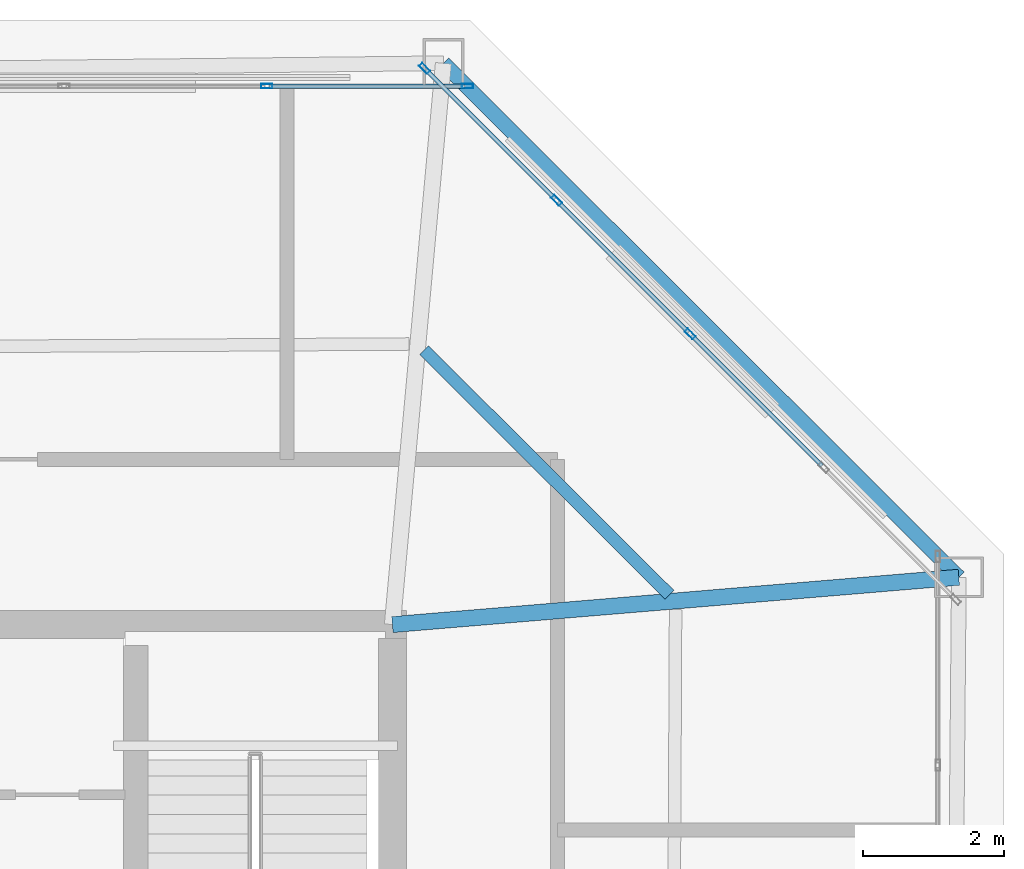
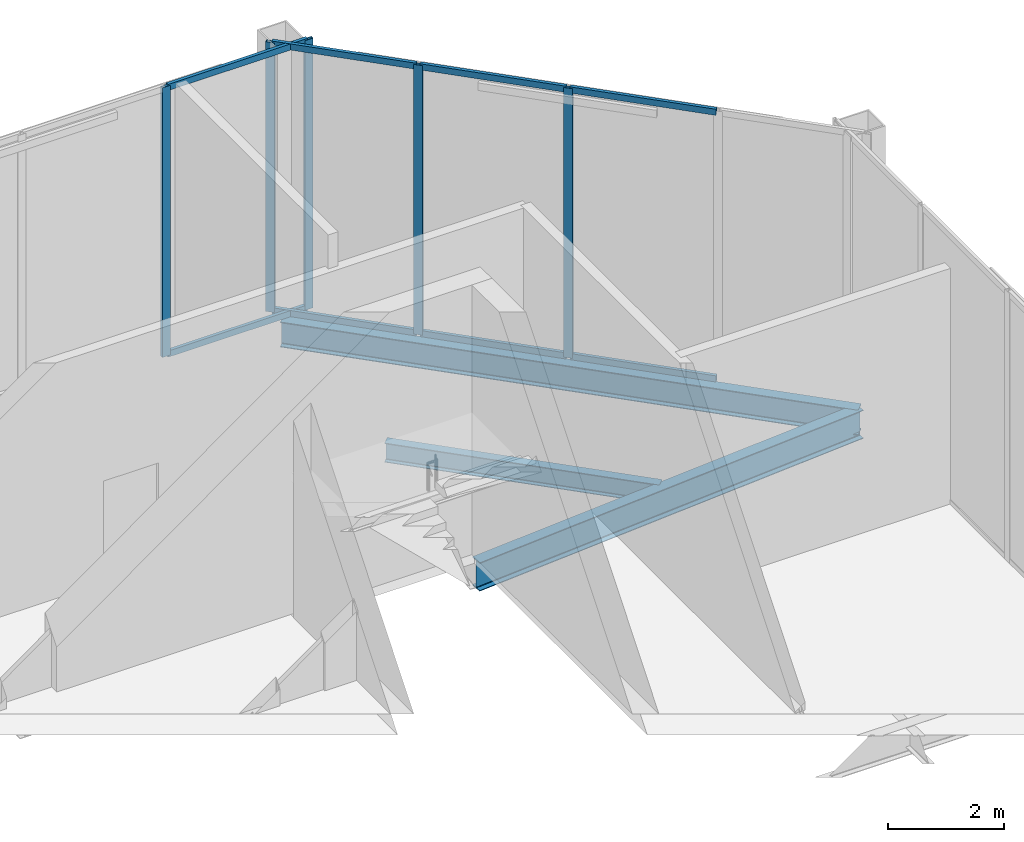
# One storey, part 14 of 20: 13 members, 3 beams, 2 elements without a shape of their own.
"""IFC4 building model written with IfcOpenShell, lengths in metres."""

from ifc_helpers import new_model, si_unit, direction, frame, origin, origin_2d, place, context, subcontext, project, spatial, hollow_rectangle, i_section, extrude, material, layer, layer_set, material_profile, profile_set, type_object, element, aggregate, save


model = new_model("IFC4")

# Units and contexts
model_context = context("Model", 3, precision=1e-05, world=origin(), true_north=direction((0.0, 1.0)))
body_context = subcontext(model_context, "Body", "Model", "MODEL_VIEW")
ifc_project = project(units=[si_unit("LENGTHUNIT", "METRE"), si_unit("AREAUNIT", "SQUARE_METRE"), si_unit("VOLUMEUNIT", "CUBIC_METRE"), si_unit("PLANEANGLEUNIT", "RADIAN"), si_unit("MASSUNIT", "GRAM", prefix="KILO")], contexts=[model_context])

# Site, building, storey
site_placement = place(None, origin())
site = spatial("IfcSite", under=ifc_project, at=site_placement, CompositionType="ELEMENT")
building_placement = place(site_placement, origin())
building = spatial("IfcBuilding", under=site, at=building_placement, Name="Caelvoria Tower", CompositionType="ELEMENT")
storey_placement = place(building_placement, frame((0.0, 0.0, 284.199951171875)))
storey = spatial("IfcBuildingStorey", under=building, at=storey_placement, Name="C1", CompositionType="ELEMENT", Elevation=284.199951171875)

# Curtain wall, members
ifc_material_1 = material(Name="Anodised Bronze Aluminium and Low-E Glass", Category="aluminium")
ifc_layer = layer(ifc_material_1, 0.179931640625, Name="Anodised Bronze Aluminium and Low-E Glass")
ifc_layer_set = layer_set([ifc_layer], Name="CW System 6 Slanted Crown Bronze Screen Facade - Anodised Bronze Aluminium and Low-E Glass")
curtain_wall_type = type_object("IfcCurtainWallType", Name="CW System 6 Slanted Crown Bronze Screen Facade", PredefinedType="NOTDEFINED", material=ifc_layer_set)
curtain_wall_1_placement = place(storey_placement, origin())
curtain_wall_1 = element("IfcCurtainWall", 1, at=curtain_wall_1_placement, inside=storey, type_object=curtain_wall_type, Name="CW-06 Curtain Wall C1-E3", PredefinedType="NOTDEFINED")
ifc_material_2 = material(Name="Anodised Bronze Architectural Aluminium", Category="aluminium")
ifc_material_profile_1 = material_profile(ifc_material_2, hollow_rectangle(XDim=0.06494140625, YDim=0.159912109375, WallThickness=0.00390625, at=origin_2d()), Name="Anodised Bronze Architectural Aluminium")
ifc_profile_set_1 = profile_set([ifc_material_profile_1], Name="CW_MULL_65X160 - Anodised Bronze Architectural Aluminium")
member_type_1 = type_object("IfcMemberType", Name="Curtain Wall Mullion 65x160 Bronze Aluminium", PredefinedType="MULLION", material=ifc_profile_set_1)
member_1_placement = place(storey_placement, frame((59.2353515625, 44.13525390625, 0.0), z_axis=(0.0, 0.0, 1.0), x_axis=(-0.707106781187, -0.707106781187, 0.0)))
member_1 = element("IfcMember", 2, at=member_1_placement, type_object=member_type_1, Name="CW-06 mullion 3", PredefinedType="MULLION", context=body_context, shape_type="SweptSolid", body=[
    extrude(hollow_rectangle(XDim=0.06494140625, YDim=0.159912109375, WallThickness=0.00390625, at=origin_2d()), origin(), (0.0, 0.0, 1.0), 5.699951171875),
])
member_2_placement = place(storey_placement, frame((57.335205078125, 46.035400390625, 0.0), z_axis=(0.0, 0.0, 1.0), x_axis=(-0.707106781187, -0.707106781187, 0.0)))
member_2 = element("IfcMember", 3, at=member_2_placement, type_object=member_type_1, Name="CW-06 mullion 4", PredefinedType="MULLION", context=body_context, shape_type="SweptSolid", body=[
    extrude(hollow_rectangle(XDim=0.06494140625, YDim=0.159912109375, WallThickness=0.00390625, at=origin_2d()), origin(), (0.0, 0.0, 1.0), 5.699951171875),
])
member_3_placement = place(storey_placement, frame((55.458251953125, 47.912353515625, 0.0), z_axis=(0.0, 0.0, 1.0), x_axis=(-0.707106781187, -0.707106781187, 0.0)))
member_3 = element("IfcMember", 4, at=member_3_placement, type_object=member_type_1, Name="CW-06 mullion 5", PredefinedType="MULLION", context=body_context, shape_type="SweptSolid", body=[
    extrude(hollow_rectangle(XDim=0.06494140625, YDim=0.159912109375, WallThickness=0.00390625, at=origin_2d()), origin(), (0.0, 0.0, 1.0), 5.699951171875),
])

curtain_wall_2_placement = place(storey_placement, origin())
curtain_wall_2 = element("IfcCurtainWall", 5, at=curtain_wall_2_placement, inside=storey, type_object=curtain_wall_type, Name="CW-06 Curtain Wall C1-E4", PredefinedType="NOTDEFINED")
member_4_placement = place(storey_placement, frame((56.0673828125, 47.659912109375, 0.0), z_axis=(0.0, 0.0, 1.0), x_axis=(0.0, -1.0, 0.0)))
member_4 = element("IfcMember", 6, at=member_4_placement, type_object=member_type_1, Name="CW-06 mullion 1", PredefinedType="MULLION", context=body_context, shape_type="SweptSolid", body=[
    extrude(hollow_rectangle(XDim=0.06494140625, YDim=0.159912109375, WallThickness=0.00390625, at=origin_2d()), origin(), (0.0, 0.0, 1.0), 5.699951171875),
])
member_5_placement = place(storey_placement, frame((53.21435546875, 47.659912109375, 0.0), z_axis=(0.0, 0.0, 1.0), x_axis=(0.0, -1.0, 0.0)))
member_5 = element("IfcMember", 7, at=member_5_placement, type_object=member_type_1, Name="CW-06 mullion 2", PredefinedType="MULLION", context=body_context, shape_type="SweptSolid", body=[
    extrude(hollow_rectangle(XDim=0.06494140625, YDim=0.159912109375, WallThickness=0.00390625, at=origin_2d()), origin(), (0.0, 0.0, 1.0), 5.699951171875),
])

# Member
ifc_material_profile_2 = material_profile(ifc_material_2, hollow_rectangle(XDim=0.06494140625, YDim=0.1298828125, WallThickness=0.00341796875, at=origin_2d()), Name="Anodised Bronze Architectural Aluminium")
ifc_profile_set_2 = profile_set([ifc_material_profile_2], Name="CW_TRAN_65X130 - Anodised Bronze Architectural Aluminium")
member_type_2 = type_object("IfcMemberType", Name="Curtain Wall Transom 65x130 Bronze Aluminium", PredefinedType="USERDEFINED", material=ifc_profile_set_2)
member_6_placement = place(storey_placement, frame((61.1123046875, 42.25830078125, 0.032470703125), z_axis=(-0.707106781187, 0.707106781187, 0.0), x_axis=(-0.707106781187, -0.707106781187, 0.0)))
member_6 = element("IfcMember", 8, at=member_6_placement, type_object=member_type_2, Name="CW-06 transom 2.1", ObjectType="TRANSOM", PredefinedType="USERDEFINED", context=body_context, shape_type="SweptSolid", body=[
    extrude(hollow_rectangle(XDim=0.06494140625, YDim=0.1298828125, WallThickness=0.00341796875, at=origin_2d()), origin(), (0.0, 0.0, 1.0), 2.6220703125),
])

member_7_placement = place(storey_placement, frame((61.1123046875, 42.25830078125, 5.66748046875), z_axis=(-0.707106781187, 0.707106781187, 0.0), x_axis=(-0.707106781187, -0.707106781187, 0.0)))
member_7 = element("IfcMember", 9, at=member_7_placement, type_object=member_type_2, Name="CW-06 transom 2.2", ObjectType="TRANSOM", PredefinedType="USERDEFINED", context=body_context, shape_type="SweptSolid", body=[
    extrude(hollow_rectangle(XDim=0.06494140625, YDim=0.1298828125, WallThickness=0.00341796875, at=origin_2d()), origin(), (0.0, 0.0, 1.0), 2.6220703125),
])

member_8_placement = place(storey_placement, frame((59.21240234375, 44.158203125, 0.032470703125), z_axis=(-0.707106781187, 0.707106781187, 0.0), x_axis=(-0.707106781187, -0.707106781187, 0.0)))
member_8 = element("IfcMember", 10, at=member_8_placement, type_object=member_type_2, Name="CW-06 transom 3.1", ObjectType="TRANSOM", PredefinedType="USERDEFINED", context=body_context, shape_type="SweptSolid", body=[
    extrude(hollow_rectangle(XDim=0.06494140625, YDim=0.1298828125, WallThickness=0.00341796875, at=origin_2d()), origin(), (0.0, 0.0, 1.0), 2.6220703125),
])

member_9_placement = place(storey_placement, frame((59.21240234375, 44.158203125, 5.66748046875), z_axis=(-0.707106781187, 0.707106781187, 0.0), x_axis=(-0.707106781187, -0.707106781187, 0.0)))
member_9 = element("IfcMember", 11, at=member_9_placement, type_object=member_type_2, Name="CW-06 transom 3.2", ObjectType="TRANSOM", PredefinedType="USERDEFINED", context=body_context, shape_type="SweptSolid", body=[
    extrude(hollow_rectangle(XDim=0.06494140625, YDim=0.1298828125, WallThickness=0.00341796875, at=origin_2d()), origin(), (0.0, 0.0, 1.0), 2.6220703125),
])

member_10_placement = place(storey_placement, frame((57.312255859375, 46.058349609375, 0.032470703125), z_axis=(-0.707106781187, 0.707106781187, 0.0), x_axis=(-0.707106781187, -0.707106781187, 0.0)))
member_10 = element("IfcMember", 12, at=member_10_placement, type_object=member_type_2, Name="CW-06 transom 4.1", ObjectType="TRANSOM", PredefinedType="USERDEFINED", context=body_context, shape_type="SweptSolid", body=[
    extrude(hollow_rectangle(XDim=0.06494140625, YDim=0.1298828125, WallThickness=0.00341796875, at=origin_2d()), origin(), (0.0, 0.0, 1.0), 2.589599609375),
])

member_11_placement = place(storey_placement, frame((57.312255859375, 46.058349609375, 5.66748046875), z_axis=(-0.707106781187, 0.707106781187, 0.0), x_axis=(-0.707106781187, -0.707106781187, 0.0)))
member_11 = element("IfcMember", 13, at=member_11_placement, type_object=member_type_2, Name="CW-06 transom 4.2", ObjectType="TRANSOM", PredefinedType="USERDEFINED", context=body_context, shape_type="SweptSolid", body=[
    extrude(hollow_rectangle(XDim=0.06494140625, YDim=0.1298828125, WallThickness=0.00341796875, at=origin_2d()), origin(), (0.0, 0.0, 1.0), 2.589599609375),
])

aggregate(curtain_wall_1, [member_1, member_2, member_3, member_6, member_7, member_8, member_9, member_10, member_11])

member_12_placement = place(storey_placement, frame((56.034912109375, 47.659912109375, 0.032470703125), z_axis=(-1.0, 0.0, 0.0), x_axis=(0.0, -1.0, 0.0)))
member_12 = element("IfcMember", 14, at=member_12_placement, type_object=member_type_2, Name="CW-06 transom 1.1", ObjectType="TRANSOM", PredefinedType="USERDEFINED", context=body_context, shape_type="SweptSolid", body=[
    extrude(hollow_rectangle(XDim=0.06494140625, YDim=0.1298828125, WallThickness=0.00341796875, at=origin_2d()), origin(), (0.0, 0.0, 1.0), 2.7880859375),
])

member_13_placement = place(storey_placement, frame((56.034912109375, 47.659912109375, 5.66748046875), z_axis=(-1.0, 0.0, 0.0), x_axis=(0.0, -1.0, 0.0)))
member_13 = element("IfcMember", 15, at=member_13_placement, type_object=member_type_2, Name="CW-06 transom 1.2", ObjectType="TRANSOM", PredefinedType="USERDEFINED", context=body_context, shape_type="SweptSolid", body=[
    extrude(hollow_rectangle(XDim=0.06494140625, YDim=0.1298828125, WallThickness=0.00341796875, at=origin_2d()), origin(), (0.0, 0.0, 1.0), 2.7880859375),
])

aggregate(curtain_wall_2, [member_4, member_5, member_12, member_13])

# Beams
ifc_material_3 = material(Name="Structural Steel ASTM A992 Gr.50", Category="steel")
ifc_material_profile_3 = material_profile(ifc_material_3, i_section(OverallWidth=0.22802734375, OverallDepth=0.60302734375, WebThickness=0.010498046875, FlangeThickness=0.014892578125, FilletRadius=0.01806640625, at=origin_2d()), Name="Structural Steel ASTM A992 Gr.50")
ifc_profile_set_3 = profile_set([ifc_material_profile_3], Name="W610X101 - Structural Steel ASTM A992 Gr.50")
beam_type_1 = type_object("IfcBeamType", Name="Primary Floor Girder W610X101", PredefinedType="BEAM", material=ifc_profile_set_3)
beam_1_placement = place(storey_placement, frame((55.0, 40.0, -0.6015625), z_axis=(0.996524486988, 0.083300341138, 0.0), x_axis=(-0.083300341138, 0.996524486988, 0.0)))
element("IfcBeam", 16, at=beam_1_placement, inside=storey, type_object=beam_type_1, Name="Primary Floor Girder C1-05", PredefinedType="BEAM", context=body_context, shape_type="SweptSolid", body=[
    extrude(i_section(OverallWidth=0.22802734375, OverallDepth=0.60302734375, WebThickness=0.010498046875, FlangeThickness=0.014892578125, FilletRadius=0.01806640625, at=origin_2d()), origin(), (0.0, 0.0, 1.0), 8.086181640625),
])
ifc_material_profile_4 = material_profile(ifc_material_3, i_section(OverallWidth=0.177978515625, OverallDepth=0.406982421875, WebThickness=0.0078125, FlangeThickness=0.0126953125, FilletRadius=0.013916015625, at=origin_2d()), Name="Structural Steel ASTM A992 Gr.50")
ifc_profile_set_4 = profile_set([ifc_material_profile_4], Name="W410X60 - Structural Steel ASTM A992 Gr.50")
beam_type_2 = type_object("IfcBeamType", Name="Secondary Floor Beam W410X60", PredefinedType="BEAM", material=ifc_profile_set_4)
beam_2_placement = place(storey_placement, frame((58.940673828125, 40.425048828125, -0.50341796875), z_axis=(-0.708121759504, 0.706090343877, 0.0), x_axis=(-0.706090343877, -0.708121759504, 0.0)))
element("IfcBeam", 17, at=beam_2_placement, inside=storey, type_object=beam_type_2, Name="Secondary Floor Beam C1-05", PredefinedType="BEAM", context=body_context, shape_type="SweptSolid", body=[
    extrude(i_section(OverallWidth=0.177978515625, OverallDepth=0.406982421875, WebThickness=0.0078125, FlangeThickness=0.0126953125, FilletRadius=0.013916015625, at=origin_2d()), origin(), (0.0, 0.0, 1.0), 4.927490234375),
])
ifc_material_profile_5 = material_profile(ifc_material_3, i_section(OverallWidth=0.208984375, OverallDepth=0.532958984375, WebThickness=0.01025390625, FlangeThickness=0.015625, FilletRadius=0.01611328125, at=origin_2d()), Name="Structural Steel ASTM A992 Gr.50")
ifc_profile_set_5 = profile_set([ifc_material_profile_5], Name="W530X92 - Structural Steel ASTM A992 Gr.50")
beam_type_3 = type_object("IfcBeamType", Name="Upper Zone Spandrel W530X92", PredefinedType="BEAM", material=ifc_profile_set_5)
beam_3_placement = place(storey_placement, frame((63.05810546875, 40.673583984375, -0.56640625), z_axis=(-0.708119910977, 0.706092197717, 0.0), x_axis=(-0.706092197717, -0.708119910977, 0.0)))
element("IfcBeam", 18, at=beam_3_placement, inside=storey, type_object=beam_type_3, Name="Perimeter Spandrel Girder C1-05", PredefinedType="BEAM", context=body_context, shape_type="SweptSolid", body=[
    extrude(i_section(OverallWidth=0.208984375, OverallDepth=0.532958984375, WebThickness=0.01025390625, FlangeThickness=0.015625, FilletRadius=0.01611328125, at=origin_2d()), origin(), (0.0, 0.0, 1.0), 10.3544921875),
])

save(model, "model.ifc")
